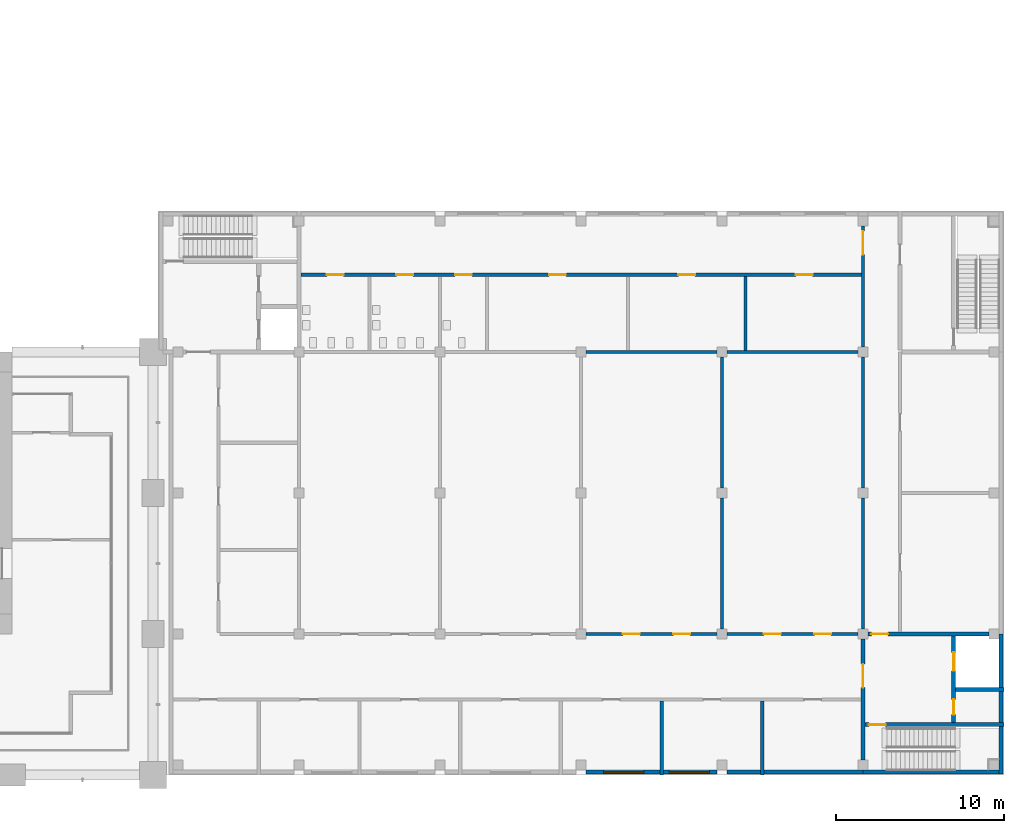
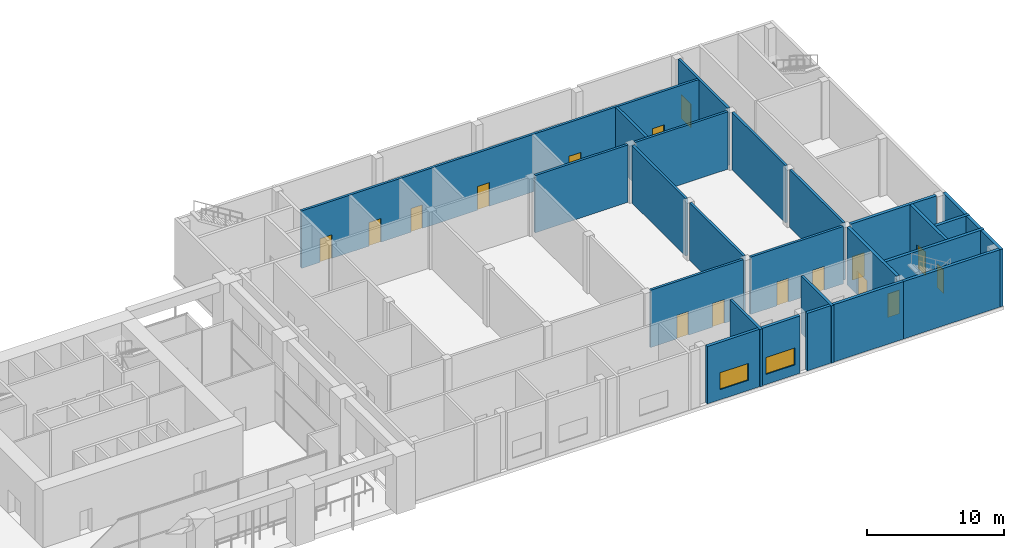
# One storey, part 21 of 33: 22 walls, 16 doors, 2 windows, 18 openings.
"""IFC4 building model written with IfcOpenShell, lengths in metres."""

from ifc_helpers import new_model, si_unit, direction, frame, frame_2d, origin, place, context, subcontext, project, spatial, rectangle, extrude, material, layer, layer_set, type_object, element, fill, save


model = new_model("IFC4")

# Units and contexts
model_context = context("Model", 3, precision=1e-05, world=origin(), true_north=direction((0.0, 1.0)))
body_context = subcontext(model_context, "Body", "Model", "MODEL_VIEW")
ifc_project = project(units=[si_unit("LENGTHUNIT", "METRE"), si_unit("AREAUNIT", "SQUARE_METRE"), si_unit("VOLUMEUNIT", "CUBIC_METRE"), si_unit("PLANEANGLEUNIT", "RADIAN"), si_unit("MASSUNIT", "GRAM", prefix="KILO")], contexts=[model_context])

# Site, building, storey
site_placement = place(None, origin())
site = spatial("IfcSite", under=ifc_project, at=site_placement, CompositionType="ELEMENT")
building_placement = place(site_placement, origin())
building = spatial("IfcBuilding", under=site, at=building_placement, Name="Vermilion Gate Residences", CompositionType="ELEMENT")
storey_placement = place(building_placement, frame((0.0, 0.0, 14.39990234375)))
storey = spatial("IfcBuildingStorey", under=building, at=storey_placement, Name="L02", CompositionType="ELEMENT", Elevation=14.39990234375)

# Wall, openings, windows
ifc_material_1 = material(Name="Insulated masonry", Category="masonry")
ifc_layer_1 = layer(ifc_material_1, 0.25)
ifc_layer_set_1 = layer_set([ifc_layer_1], Name="EXTERNAL WALL 250 MASONRY (MARKET HALL)")
wall_type_1 = type_object("IfcWallType", Name="EXTERNAL WALL 250 MASONRY (MARKET HALL)", PredefinedType="SOLIDWALL", material=ifc_layer_set_1)
wall_1_placement = place(storey_placement, frame((93.0, 0.175048828125, 0.0), z_axis=(0.0, 0.0, 1.0), x_axis=(1.0, 0.0, 0.0)))
wall_1 = element("IfcWall", 1, at=wall_1_placement, inside=storey, type_object=wall_type_1, Name="External wall L02-4", PredefinedType="SOLIDWALL", context=body_context, shape_type="SweptSolid", body=[
    extrude(rectangle(XDim=7.800048828125, YDim=0.25, at=frame_2d((3.89990234375, 0.0))), origin(), (0.0, 0.0, 1.0), 5.10009765625),
])
opening_1_placement = place(wall_1_placement, frame((1.050048828125, 0.0, 0.89990234375)))
opening_1 = element("IfcOpeningElement", 2, at=opening_1_placement, cuts=wall_1, Name="Opening WH02004", PredefinedType="OPENING", context=body_context, shape_type="SweptSolid", body=[
    extrude(rectangle(XDim=2.39990234375, YDim=1.5, at=frame_2d((1.199951171875, 0.75))), frame((0.0, 0.135009765625, 0.0), z_axis=(0.0, -1.0, 0.0), x_axis=(1.0, 0.0, 0.0)), (0.0, 0.0, 1.0), 0.27001953125),
])
opening_2_placement = place(wall_1_placement, frame((4.949951171875, 0.0, 0.89990234375)))
opening_2 = element("IfcOpeningElement", 3, at=opening_2_placement, cuts=wall_1, Name="Opening WH02005", PredefinedType="OPENING", context=body_context, shape_type="SweptSolid", body=[
    extrude(rectangle(XDim=2.39990234375, YDim=1.5, at=frame_2d((1.199951171875, 0.75))), frame((0.0, 0.135009765625, 0.0), z_axis=(0.0, -1.0, 0.0), x_axis=(1.0, 0.0, 0.0)), (0.0, 0.0, 1.0), 0.27001953125),
])
ifc_material_2 = material(Name="Aluminium and glass", Category="aluminium")
window_type = type_object("IfcWindowType", Name="WINDOW 2400 X 1500 (MARKET HALL)", PartitioningType="DOUBLE_PANEL_VERTICAL", PredefinedType="WINDOW", material=ifc_material_2)
window_1_placement = place(opening_1_placement, origin())
window_1 = element("IfcWindow", 4, at=window_1_placement, inside=storey, type_object=window_type, Name="Window WH02004", OverallHeight=1.5, OverallWidth=2.39990234375, PartitioningType="DOUBLE_PANEL_VERTICAL", PredefinedType="WINDOW", context=body_context, shape_type="SweptSolid", body=[
    extrude(rectangle(XDim=2.39990234375, YDim=1.5, at=frame_2d((1.199951171875, 0.75))), frame((0.0, 0.030029296875, 0.0), z_axis=(0.0, -1.0, 0.0), x_axis=(1.0, 0.0, 0.0)), (0.0, 0.0, 1.0), 0.06005859375),
])
fill(opening_1, window_1)
window_2_placement = place(opening_2_placement, origin())
window_2 = element("IfcWindow", 5, at=window_2_placement, inside=storey, type_object=window_type, Name="Window WH02005", OverallHeight=1.5, OverallWidth=2.39990234375, PartitioningType="DOUBLE_PANEL_VERTICAL", PredefinedType="WINDOW", context=body_context, shape_type="SweptSolid", body=[
    extrude(rectangle(XDim=2.39990234375, YDim=1.5, at=frame_2d((1.199951171875, 0.75))), frame((0.0, 0.030029296875, 0.0), z_axis=(0.0, -1.0, 0.0), x_axis=(1.0, 0.0, 0.0)), (0.0, 0.0, 1.0), 0.06005859375),
])
fill(opening_2, window_2)

# Wall
wall_2_placement = place(storey_placement, frame((101.39990234375, 0.175048828125, 0.0), z_axis=(0.0, 0.0, 1.0), x_axis=(1.0, 0.0, 0.0)))
element("IfcWall", 6, at=wall_2_placement, inside=storey, type_object=wall_type_1, Name="External wall L02-5", PredefinedType="SOLIDWALL", context=body_context, shape_type="SweptSolid", body=[
    extrude(rectangle(XDim=8.10009765625, YDim=0.25, at=frame_2d((4.050048828125, 0.0))), origin(), (0.0, 0.0, 1.0), 5.10009765625),
])

# Wall, openings, doors
ifc_material_3 = material(Name="Masonry", Category="masonry")
ifc_layer_2 = layer(ifc_material_3, 0.199951171875)
ifc_layer_set_2 = layer_set([ifc_layer_2], Name="PARTITION 200 MASONRY EI 60 (MARKET HALL)")
wall_type_2 = type_object("IfcWallType", Name="PARTITION 200 MASONRY EI 60 (MARKET HALL)", PredefinedType="PARTITIONING", material=ifc_layer_set_2)
wall_3_placement = place(storey_placement, frame((93.0, 8.39990234375, 0.0), z_axis=(0.0, 0.0, 1.0), x_axis=(1.0, 0.0, 0.0)))
wall_3 = element("IfcWall", 7, at=wall_3_placement, inside=storey, type_object=wall_type_2, Name="Partition wall L02-13", PredefinedType="PARTITIONING", context=body_context, shape_type="SweptSolid", body=[
    extrude(rectangle(XDim=7.800048828125, YDim=0.199951171875, at=frame_2d((3.89990234375, 0.0))), origin(), (0.0, 0.0, 1.0), 5.10009765625),
])
opening_3_placement = place(wall_3_placement, frame((2.199951171875, 0.0, 0.0)))
opening_3 = element("IfcOpeningElement", 8, at=opening_3_placement, cuts=wall_3, Name="Opening DH02013", PredefinedType="OPENING", context=body_context, shape_type="SweptSolid", body=[
    extrude(rectangle(XDim=1.0, YDim=2.10009765625, at=frame_2d((0.5, 1.050048828125))), frame((0.0, 0.10986328125, 0.0), z_axis=(0.0, -1.0, 0.0), x_axis=(1.0, 0.0, 0.0)), (0.0, 0.0, 1.0), 0.219970703125),
])
opening_4_placement = place(wall_3_placement, frame((5.199951171875, 0.0, 0.0)))
opening_4 = element("IfcOpeningElement", 9, at=opening_4_placement, cuts=wall_3, Name="Opening DH02014", PredefinedType="OPENING", context=body_context, shape_type="SweptSolid", body=[
    extrude(rectangle(XDim=1.0, YDim=2.10009765625, at=frame_2d((0.5, 1.050048828125))), frame((0.0, 0.10986328125, 0.0), z_axis=(0.0, -1.0, 0.0), x_axis=(1.0, 0.0, 0.0)), (0.0, 0.0, 1.0), 0.219970703125),
])
ifc_material_4 = material(Name="Steel", Category="steel")
door_type_1 = type_object("IfcDoorType", Name="FIRE DOOR FD30 1000 X 2100 (MARKET HALL)", OperationType="SINGLE_SWING_LEFT", PredefinedType="DOOR", material=ifc_material_4)
door_1_placement = place(opening_3_placement, frame((1.0, 0.0, 0.0), z_axis=(0.0, 0.0, 1.0), x_axis=(-1.0, 0.0, 0.0)))
door_1 = element("IfcDoor", 10, at=door_1_placement, inside=storey, type_object=door_type_1, Name="Fire door DH02013", OperationType="SINGLE_SWING_RIGHT", OverallHeight=2.10009765625, OverallWidth=1.0, PredefinedType="DOOR", context=body_context, shape_type="SweptSolid", body=[
    extrude(rectangle(XDim=1.0, YDim=2.10009765625, at=frame_2d((0.5, 1.050048828125))), frame((0.0, 0.02490234375, 0.0), z_axis=(0.0, -1.0, 0.0), x_axis=(1.0, 0.0, 0.0)), (0.0, 0.0, 1.0), 0.050048828125),
])
fill(opening_3, door_1)
door_2_placement = place(opening_4_placement, frame((1.0, 0.0, 0.0), z_axis=(0.0, 0.0, 1.0), x_axis=(-1.0, 0.0, 0.0)))
door_2 = element("IfcDoor", 11, at=door_2_placement, inside=storey, type_object=door_type_1, Name="Fire door DH02014", OperationType="SINGLE_SWING_LEFT", OverallHeight=2.10009765625, OverallWidth=1.0, PredefinedType="DOOR", context=body_context, shape_type="SweptSolid", body=[
    extrude(rectangle(XDim=1.0, YDim=2.10009765625, at=frame_2d((0.5, 1.050048828125))), frame((0.0, 0.02490234375, 0.0), z_axis=(0.0, -1.0, 0.0), x_axis=(1.0, 0.0, 0.0)), (0.0, 0.0, 1.0), 0.050048828125),
])
fill(opening_4, door_2)

wall_4_placement = place(storey_placement, frame((101.39990234375, 8.39990234375, 0.0), z_axis=(0.0, 0.0, 1.0), x_axis=(1.0, 0.0, 0.0)))
wall_4 = element("IfcWall", 12, at=wall_4_placement, inside=storey, type_object=wall_type_2, Name="Partition wall L02-14", PredefinedType="PARTITIONING", context=body_context, shape_type="SweptSolid", body=[
    extrude(rectangle(XDim=7.800048828125, YDim=0.199951171875, at=frame_2d((3.89990234375, 0.0))), origin(), (0.0, 0.0, 1.0), 5.10009765625),
])
opening_5_placement = place(wall_4_placement, frame((2.199951171875, 0.0, 0.0)))
opening_5 = element("IfcOpeningElement", 13, at=opening_5_placement, cuts=wall_4, Name="Opening DH02015", PredefinedType="OPENING", context=body_context, shape_type="SweptSolid", body=[
    extrude(rectangle(XDim=1.0, YDim=2.10009765625, at=frame_2d((0.5, 1.050048828125))), frame((0.0, 0.10986328125, 0.0), z_axis=(0.0, -1.0, 0.0), x_axis=(1.0, 0.0, 0.0)), (0.0, 0.0, 1.0), 0.219970703125),
])
opening_6_placement = place(wall_4_placement, frame((5.199951171875, 0.0, 0.0)))
opening_6 = element("IfcOpeningElement", 14, at=opening_6_placement, cuts=wall_4, Name="Opening DH02016", PredefinedType="OPENING", context=body_context, shape_type="SweptSolid", body=[
    extrude(rectangle(XDim=1.0, YDim=2.10009765625, at=frame_2d((0.5, 1.050048828125))), frame((0.0, 0.10986328125, 0.0), z_axis=(0.0, -1.0, 0.0), x_axis=(1.0, 0.0, 0.0)), (0.0, 0.0, 1.0), 0.219970703125),
])
door_3_placement = place(opening_5_placement, origin())
door_3 = element("IfcDoor", 15, at=door_3_placement, inside=storey, type_object=door_type_1, Name="Fire door DH02015", OperationType="SINGLE_SWING_LEFT", OverallHeight=2.10009765625, OverallWidth=1.0, PredefinedType="DOOR", context=body_context, shape_type="SweptSolid", body=[
    extrude(rectangle(XDim=1.0, YDim=2.10009765625, at=frame_2d((0.5, 1.050048828125))), frame((0.0, 0.02490234375, 0.0), z_axis=(0.0, -1.0, 0.0), x_axis=(1.0, 0.0, 0.0)), (0.0, 0.0, 1.0), 0.050048828125),
])
fill(opening_5, door_3)
door_4_placement = place(opening_6_placement, origin())
door_4 = element("IfcDoor", 16, at=door_4_placement, inside=storey, type_object=door_type_1, Name="Fire door DH02016", OperationType="SINGLE_SWING_RIGHT", OverallHeight=2.10009765625, OverallWidth=1.0, PredefinedType="DOOR", context=body_context, shape_type="SweptSolid", body=[
    extrude(rectangle(XDim=1.0, YDim=2.10009765625, at=frame_2d((0.5, 1.050048828125))), frame((0.0, 0.02490234375, 0.0), z_axis=(0.0, -1.0, 0.0), x_axis=(1.0, 0.0, 0.0)), (0.0, 0.0, 1.0), 0.050048828125),
])
fill(opening_6, door_4)

# Walls
for number, where, z_axis, x_axis, name in (
    (17, (93.0, 25.199951171875, 0.0), (0.0, 0.0, 1.0), (1.0, 0.0, 0.0), "Partition wall L02-23"),
    (18, (101.39990234375, 25.199951171875, 0.0), (0.0, 0.0, 1.0), (1.0, 0.0, 0.0), "Partition wall L02-24"),
):
    element("IfcWall", number, at=place(storey_placement, frame(where, z_axis=z_axis, x_axis=x_axis)), inside=storey, type_object=wall_type_2, Name=name, PredefinedType="PARTITIONING", context=body_context, shape_type="SweptSolid", body=[
        extrude(rectangle(XDim=7.800048828125, YDim=0.199951171875, at=frame_2d((3.89990234375, 0.0))), origin(), (0.0, 0.0, 1.0), 5.10009765625),
    ])

# Wall, openings, doors
wall_5_placement = place(storey_placement, frame((76.02490234375, 29.800048828125, 0.0), z_axis=(0.0, 0.0, 1.0), x_axis=(1.0, 0.0, 0.0)))
wall_5 = element("IfcWall", 19, at=wall_5_placement, inside=storey, type_object=wall_type_2, Name="Partition wall L02-27", PredefinedType="PARTITIONING", context=body_context, shape_type="SweptSolid", body=[
    extrude(rectangle(XDim=33.375, YDim=0.199951171875, at=frame_2d((16.6875, 0.0))), origin(), (0.0, 0.0, 1.0), 5.10009765625),
])
opening_7_placement = place(wall_5_placement, frame((1.53759765625, 0.0, 0.0)))
opening_7 = element("IfcOpeningElement", 20, at=opening_7_placement, cuts=wall_5, Name="Opening DH02017", PredefinedType="OPENING", context=body_context, shape_type="SweptSolid", body=[
    extrude(rectangle(XDim=1.0, YDim=2.10009765625, at=frame_2d((0.5, 1.050048828125))), frame((0.0, 0.10986328125, 0.0), z_axis=(0.0, -1.0, 0.0), x_axis=(1.0, 0.0, 0.0)), (0.0, 0.0, 1.0), 0.219970703125),
])
opening_8_placement = place(wall_5_placement, frame((5.675048828125, 0.0, 0.0)))
opening_8 = element("IfcOpeningElement", 21, at=opening_8_placement, cuts=wall_5, Name="Opening DH02018", PredefinedType="OPENING", context=body_context, shape_type="SweptSolid", body=[
    extrude(rectangle(XDim=1.0, YDim=2.10009765625, at=frame_2d((0.5, 1.050048828125))), frame((0.0, 0.10986328125, 0.0), z_axis=(0.0, -1.0, 0.0), x_axis=(1.0, 0.0, 0.0)), (0.0, 0.0, 1.0), 0.219970703125),
])
opening_9_placement = place(wall_5_placement, frame((9.175048828125, 0.0, 0.0)))
opening_9 = element("IfcOpeningElement", 22, at=opening_9_placement, cuts=wall_5, Name="Opening DH02019", PredefinedType="OPENING", context=body_context, shape_type="SweptSolid", body=[
    extrude(rectangle(XDim=1.0, YDim=2.10009765625, at=frame_2d((0.5, 1.050048828125))), frame((0.0, 0.10986328125, 0.0), z_axis=(0.0, -1.0, 0.0), x_axis=(1.0, 0.0, 0.0)), (0.0, 0.0, 1.0), 0.219970703125),
])
opening_10_placement = place(wall_5_placement, frame((14.77490234375, 0.0, 0.0)))
opening_10 = element("IfcOpeningElement", 23, at=opening_10_placement, cuts=wall_5, Name="Opening DH02020", PredefinedType="OPENING", context=body_context, shape_type="SweptSolid", body=[
    extrude(rectangle(XDim=1.0, YDim=2.10009765625, at=frame_2d((0.5, 1.050048828125))), frame((0.0, 0.10986328125, 0.0), z_axis=(0.0, -1.0, 0.0), x_axis=(1.0, 0.0, 0.0)), (0.0, 0.0, 1.0), 0.219970703125),
])
opening_11_placement = place(wall_5_placement, frame((22.47509765625, 0.0, 0.0)))
opening_11 = element("IfcOpeningElement", 24, at=opening_11_placement, cuts=wall_5, Name="Opening DH02021", PredefinedType="OPENING", context=body_context, shape_type="SweptSolid", body=[
    extrude(rectangle(XDim=1.0, YDim=2.10009765625, at=frame_2d((0.5, 1.050048828125))), frame((0.0, 0.10986328125, 0.0), z_axis=(0.0, -1.0, 0.0), x_axis=(1.0, 0.0, 0.0)), (0.0, 0.0, 1.0), 0.219970703125),
])
opening_12_placement = place(wall_5_placement, frame((29.47509765625, 0.0, 0.0)))
opening_12 = element("IfcOpeningElement", 25, at=opening_12_placement, cuts=wall_5, Name="Opening DH02022", PredefinedType="OPENING", context=body_context, shape_type="SweptSolid", body=[
    extrude(rectangle(XDim=1.0, YDim=2.10009765625, at=frame_2d((0.5, 1.050048828125))), frame((0.0, 0.10986328125, 0.0), z_axis=(0.0, -1.0, 0.0), x_axis=(1.0, 0.0, 0.0)), (0.0, 0.0, 1.0), 0.219970703125),
])
door_5_placement = place(opening_10_placement, frame((1.0, 0.0, 0.0), z_axis=(0.0, 0.0, 1.0), x_axis=(-1.0, 0.0, 0.0)))
door_5 = element("IfcDoor", 26, at=door_5_placement, inside=storey, type_object=door_type_1, Name="Fire door DH02020", OperationType="SINGLE_SWING_RIGHT", OverallHeight=2.10009765625, OverallWidth=1.0, PredefinedType="DOOR", context=body_context, shape_type="SweptSolid", body=[
    extrude(rectangle(XDim=1.0, YDim=2.10009765625, at=frame_2d((0.5, 1.050048828125))), frame((0.0, 0.02490234375, 0.0), z_axis=(0.0, -1.0, 0.0), x_axis=(1.0, 0.0, 0.0)), (0.0, 0.0, 1.0), 0.050048828125),
])
fill(opening_10, door_5)
door_6_placement = place(opening_11_placement, frame((1.0, 0.0, 0.0), z_axis=(0.0, 0.0, 1.0), x_axis=(-1.0, 0.0, 0.0)))
door_6 = element("IfcDoor", 27, at=door_6_placement, inside=storey, type_object=door_type_1, Name="Fire door DH02021", OperationType="SINGLE_SWING_RIGHT", OverallHeight=2.10009765625, OverallWidth=1.0, PredefinedType="DOOR", context=body_context, shape_type="SweptSolid", body=[
    extrude(rectangle(XDim=1.0, YDim=2.10009765625, at=frame_2d((0.5, 1.050048828125))), frame((0.0, 0.02490234375, 0.0), z_axis=(0.0, -1.0, 0.0), x_axis=(1.0, 0.0, 0.0)), (0.0, 0.0, 1.0), 0.050048828125),
])
fill(opening_11, door_6)
door_7_placement = place(opening_12_placement, frame((1.0, 0.0, 0.0), z_axis=(0.0, 0.0, 1.0), x_axis=(-1.0, 0.0, 0.0)))
door_7 = element("IfcDoor", 28, at=door_7_placement, inside=storey, type_object=door_type_1, Name="Fire door DH02022", OperationType="SINGLE_SWING_RIGHT", OverallHeight=2.10009765625, OverallWidth=1.0, PredefinedType="DOOR", context=body_context, shape_type="SweptSolid", body=[
    extrude(rectangle(XDim=1.0, YDim=2.10009765625, at=frame_2d((0.5, 1.050048828125))), frame((0.0, 0.02490234375, 0.0), z_axis=(0.0, -1.0, 0.0), x_axis=(1.0, 0.0, 0.0)), (0.0, 0.0, 1.0), 0.050048828125),
])
fill(opening_12, door_7)
ifc_material_5 = material(Name="Timber", Category="wood")
door_type_2 = type_object("IfcDoorType", Name="TIMBER DOOR 1000 X 2100 (MARKET HALL)", OperationType="SINGLE_SWING_LEFT", PredefinedType="DOOR", material=ifc_material_5)
door_8_placement = place(opening_7_placement, frame((1.0, 0.0, 0.0), z_axis=(0.0, 0.0, 1.0), x_axis=(-1.0, 0.0, 0.0)))
door_8 = element("IfcDoor", 29, at=door_8_placement, inside=storey, type_object=door_type_2, Name="WC door DH02017", OperationType="SINGLE_SWING_LEFT", OverallHeight=2.10009765625, OverallWidth=1.0, PredefinedType="DOOR", context=body_context, shape_type="SweptSolid", body=[
    extrude(rectangle(XDim=1.0, YDim=2.10009765625, at=frame_2d((0.5, 1.050048828125))), frame((0.0, 0.02490234375, 0.0), z_axis=(0.0, -1.0, 0.0), x_axis=(1.0, 0.0, 0.0)), (0.0, 0.0, 1.0), 0.050048828125),
])
fill(opening_7, door_8)
door_9_placement = place(opening_8_placement, frame((1.0, 0.0, 0.0), z_axis=(0.0, 0.0, 1.0), x_axis=(-1.0, 0.0, 0.0)))
door_9 = element("IfcDoor", 30, at=door_9_placement, inside=storey, type_object=door_type_2, Name="WC door DH02018", OperationType="SINGLE_SWING_LEFT", OverallHeight=2.10009765625, OverallWidth=1.0, PredefinedType="DOOR", context=body_context, shape_type="SweptSolid", body=[
    extrude(rectangle(XDim=1.0, YDim=2.10009765625, at=frame_2d((0.5, 1.050048828125))), frame((0.0, 0.02490234375, 0.0), z_axis=(0.0, -1.0, 0.0), x_axis=(1.0, 0.0, 0.0)), (0.0, 0.0, 1.0), 0.050048828125),
])
fill(opening_8, door_9)
door_10_placement = place(opening_9_placement, frame((1.0, 0.0, 0.0), z_axis=(0.0, 0.0, 1.0), x_axis=(-1.0, 0.0, 0.0)))
door_10 = element("IfcDoor", 31, at=door_10_placement, inside=storey, type_object=door_type_2, Name="WC door DH02019", OperationType="SINGLE_SWING_LEFT", OverallHeight=2.10009765625, OverallWidth=1.0, PredefinedType="DOOR", context=body_context, shape_type="SweptSolid", body=[
    extrude(rectangle(XDim=1.0, YDim=2.10009765625, at=frame_2d((0.5, 1.050048828125))), frame((0.0, 0.02490234375, 0.0), z_axis=(0.0, -1.0, 0.0), x_axis=(1.0, 0.0, 0.0)), (0.0, 0.0, 1.0), 0.050048828125),
])
fill(opening_9, door_10)

# Walls
wall_6_placement = place(storey_placement, frame((97.5, 0.0, 0.0), z_axis=(0.0, 0.0, 1.0), x_axis=(0.0, 1.0, 0.0)))
element("IfcWall", 32, at=wall_6_placement, inside=storey, type_object=wall_type_2, Name="Partition wall L02-56", PredefinedType="PARTITIONING", context=body_context, shape_type="SweptSolid", body=[
    extrude(rectangle(XDim=4.39990234375, YDim=0.199951171875, at=frame_2d((2.199951171875, 0.0))), origin(), (0.0, 0.0, 1.0), 5.10009765625),
])
wall_7_placement = place(storey_placement, frame((101.10009765625, 8.699951171875, 0.0), z_axis=(0.0, 0.0, 1.0), x_axis=(0.0, 1.0, 0.0)))
element("IfcWall", 33, at=wall_7_placement, inside=storey, type_object=wall_type_2, Name="Partition wall L02-57", PredefinedType="PARTITIONING", context=body_context, shape_type="SweptSolid", body=[
    extrude(rectangle(XDim=7.800048828125, YDim=0.199951171875, at=frame_2d((3.89990234375, 0.0))), origin(), (0.0, 0.0, 1.0), 5.10009765625),
])
wall_8_placement = place(storey_placement, frame((101.10009765625, 17.10009765625, 0.0), z_axis=(0.0, 0.0, 1.0), x_axis=(0.0, 1.0, 0.0)))
element("IfcWall", 34, at=wall_8_placement, inside=storey, type_object=wall_type_2, Name="Partition wall L02-58", PredefinedType="PARTITIONING", context=body_context, shape_type="SweptSolid", body=[
    extrude(rectangle(XDim=7.7998046875, YDim=0.199951171875, at=frame_2d((3.89990234375, 0.0))), origin(), (0.0, 0.0, 1.0), 5.10009765625),
])
for number, where, z_axis, x_axis, name in (
    (35, (102.5, 25.300048828125, 0.0), (0.0, 0.0, 1.0), (0.0, 1.0, 0.0), "Partition wall L02-59"),
    (36, (103.5, 0.0, 0.0), (0.0, 0.0, 1.0), (0.0, 1.0, 0.0), "Partition wall L02-60"),
):
    element("IfcWall", number, at=place(storey_placement, frame(where, z_axis=z_axis, x_axis=x_axis)), inside=storey, type_object=wall_type_2, Name=name, PredefinedType="PARTITIONING", context=body_context, shape_type="SweptSolid", body=[
        extrude(rectangle(XDim=4.39990234375, YDim=0.199951171875, at=frame_2d((2.199951171875, 0.0))), origin(), (0.0, 0.0, 1.0), 5.10009765625),
    ])
wall_9_placement = place(storey_placement, frame((109.5, 8.699951171875, 0.0), z_axis=(0.0, 0.0, 1.0), x_axis=(0.0, 1.0, 0.0)))
element("IfcWall", 37, at=wall_9_placement, inside=storey, type_object=wall_type_2, Name="Partition wall L02-62", PredefinedType="PARTITIONING", context=body_context, shape_type="SweptSolid", body=[
    extrude(rectangle(XDim=7.800048828125, YDim=0.199951171875, at=frame_2d((3.89990234375, 0.0))), origin(), (0.0, 0.0, 1.0), 5.10009765625),
])
wall_10_placement = place(storey_placement, frame((109.5, 17.10009765625, 0.0), z_axis=(0.0, 0.0, 1.0), x_axis=(0.0, 1.0, 0.0)))
element("IfcWall", 38, at=wall_10_placement, inside=storey, type_object=wall_type_2, Name="Partition wall L02-63", PredefinedType="PARTITIONING", context=body_context, shape_type="SweptSolid", body=[
    extrude(rectangle(XDim=7.7998046875, YDim=0.199951171875, at=frame_2d((3.89990234375, 0.0))), origin(), (0.0, 0.0, 1.0), 5.10009765625),
])

# Wall, opening, door
wall_11_placement = place(storey_placement, frame((109.5, 25.5, 0.0), z_axis=(0.0, 0.0, 1.0), x_axis=(0.0, 1.0, 0.0)))
wall_11 = element("IfcWall", 39, at=wall_11_placement, inside=storey, type_object=wall_type_2, Name="Partition wall L02-64", PredefinedType="PARTITIONING", context=body_context, shape_type="SweptSolid", body=[
    extrude(rectangle(XDim=7.199951171875, YDim=0.199951171875, at=frame_2d((3.60009765625, 0.0))), origin(), (0.0, 0.0, 1.0), 5.10009765625),
])
opening_13_placement = place(wall_11_placement, frame((5.5, 0.0, 0.0)))
opening_13 = element("IfcOpeningElement", 40, at=opening_13_placement, cuts=wall_11, Name="Opening DH02023", PredefinedType="OPENING", context=body_context, shape_type="SweptSolid", body=[
    extrude(rectangle(XDim=1.39990234375, YDim=2.10009765625, at=frame_2d((0.699951171875, 1.050048828125))), frame((0.0, 0.10986328125, 0.0), z_axis=(0.0, -1.0, 0.0), x_axis=(1.0, 0.0, 0.0)), (0.0, 0.0, 1.0), 0.219970703125),
])
ifc_material_6 = material(Name="Steel", Category="steel")
door_type_3 = type_object("IfcDoorType", Name="FIRE DOOR FD30 1400 X 2100 DOUBLE (MARKET HALL)", OperationType="DOUBLE_DOOR_SINGLE_SWING", PredefinedType="DOOR", material=ifc_material_6)
door_11_placement = place(opening_13_placement, origin())
door_11 = element("IfcDoor", 41, at=door_11_placement, inside=storey, type_object=door_type_3, Name="Fire door DH02023", OperationType="DOUBLE_DOOR_SINGLE_SWING", OverallHeight=2.10009765625, OverallWidth=1.39990234375, PredefinedType="DOOR", context=body_context, shape_type="SweptSolid", body=[
    extrude(rectangle(XDim=1.39990234375, YDim=2.10009765625, at=frame_2d((0.699951171875, 1.050048828125))), frame((0.0, 0.02490234375, 0.0), z_axis=(0.0, -1.0, 0.0), x_axis=(1.0, 0.0, 0.0)), (0.0, 0.0, 1.0), 0.050048828125),
])
fill(opening_13, door_11)

# Wall
ifc_material_7 = material(Name="Concrete C45", Category="concrete")
ifc_layer_3 = layer(ifc_material_7, 0.25)
ifc_layer_set_3 = layer_set([ifc_layer_3], Name="RC CORE WALL 250 C45 (MARKET HALL)")
wall_type_3 = type_object("IfcWallType", Name="RC CORE WALL 250 C45 (MARKET HALL)", PredefinedType="SHEAR", material=ifc_layer_set_3)
wall_12_placement = place(storey_placement, frame((109.5, 0.175048828125, 0.0), z_axis=(0.0, 0.0, 1.0), x_axis=(1.0, 0.0, 0.0)))
element("IfcWall", 42, at=wall_12_placement, inside=storey, type_object=wall_type_3, Name="Core wall L02-6", PredefinedType="SHEAR", context=body_context, shape_type="SweptSolid", body=[
    extrude(rectangle(XDim=8.10009765625, YDim=0.25, at=frame_2d((4.050048828125, 0.0))), origin(), (0.0, 0.0, 1.0), 5.10009765625),
])

# Wall, opening, door
wall_13_placement = place(storey_placement, frame((109.625, 3.0, 0.0), z_axis=(0.0, 0.0, 1.0), x_axis=(1.0, 0.0, 0.0)))
wall_13 = element("IfcWall", 43, at=wall_13_placement, inside=storey, type_object=wall_type_3, Name="Core wall L02-7", PredefinedType="SHEAR", context=body_context, shape_type="SweptSolid", body=[
    extrude(rectangle(XDim=8.27490234375, YDim=0.25, at=frame_2d((4.137451171875, 0.0))), origin(), (0.0, 0.0, 1.0), 5.10009765625),
])
opening_14_placement = place(wall_13_placement, frame((0.22509765625, 0.0, 0.0)))
opening_14 = element("IfcOpeningElement", 44, at=opening_14_placement, cuts=wall_13, Name="Opening DH02036", PredefinedType="OPENING", context=body_context, shape_type="SweptSolid", body=[
    extrude(rectangle(XDim=1.0, YDim=2.10009765625, at=frame_2d((0.5, 1.050048828125))), frame((0.0, 0.135009765625, 0.0), z_axis=(0.0, -1.0, 0.0), x_axis=(1.0, 0.0, 0.0)), (0.0, 0.0, 1.0), 0.27001953125),
])
ifc_material_8 = material(Name="Steel", Category="steel")
door_type_4 = type_object("IfcDoorType", Name="STAIR DOOR FD60 1000 X 2100 (MARKET HALL)", OperationType="SINGLE_SWING_LEFT", PredefinedType="DOOR", material=ifc_material_8)
door_12_placement = place(opening_14_placement, frame((1.0, 0.0, 0.0), z_axis=(0.0, 0.0, 1.0), x_axis=(-1.0, 0.0, 0.0)))
door_12 = element("IfcDoor", 45, at=door_12_placement, inside=storey, type_object=door_type_4, Name="Stair door DH02036", OperationType="SINGLE_SWING_LEFT", OverallHeight=2.10009765625, OverallWidth=1.0, PredefinedType="DOOR", context=body_context, shape_type="SweptSolid", body=[
    extrude(rectangle(XDim=1.0, YDim=2.10009765625, at=frame_2d((0.5, 1.050048828125))), frame((0.0, 0.02490234375, 0.0), z_axis=(0.0, -1.0, 0.0), x_axis=(1.0, 0.0, 0.0)), (0.0, 0.0, 1.0), 0.050048828125),
])
fill(opening_14, door_12)

# Wall
wall_14_placement = place(storey_placement, frame((115.02490234375, 5.10009765625, 0.0), z_axis=(0.0, 0.0, 1.0), x_axis=(1.0, 0.0, 0.0)))
element("IfcWall", 46, at=wall_14_placement, inside=storey, type_object=wall_type_3, Name="Core wall L02-9", PredefinedType="SHEAR", context=body_context, shape_type="SweptSolid", body=[
    extrude(rectangle(XDim=2.875, YDim=0.25, at=frame_2d((1.4375, 0.0))), origin(), (0.0, 0.0, 1.0), 5.10009765625),
])

# Wall, opening, door
wall_15_placement = place(storey_placement, frame((109.800048828125, 8.39990234375, 0.0), z_axis=(0.0, 0.0, 1.0), x_axis=(1.0, 0.0, 0.0)))
wall_15 = element("IfcWall", 47, at=wall_15_placement, inside=storey, type_object=wall_type_3, Name="Core wall L02-15", PredefinedType="SHEAR", context=body_context, shape_type="SweptSolid", body=[
    extrude(rectangle(XDim=7.199951171875, YDim=0.25, at=frame_2d((3.60009765625, 0.0))), origin(), (0.0, 0.0, 1.0), 5.10009765625),
])
opening_15_placement = place(wall_15_placement, frame((0.199951171875, 0.0, 0.0)))
opening_15 = element("IfcOpeningElement", 48, at=opening_15_placement, cuts=wall_15, Name="Opening DH02032", PredefinedType="OPENING", context=body_context, shape_type="SweptSolid", body=[
    extrude(rectangle(XDim=1.0, YDim=2.10009765625, at=frame_2d((0.5, 1.050048828125))), frame((0.0, 0.135009765625, 0.0), z_axis=(0.0, -1.0, 0.0), x_axis=(1.0, 0.0, 0.0)), (0.0, 0.0, 1.0), 0.27001953125),
])
ifc_material_9 = material(Name="Steel", Category="steel")
door_type_5 = type_object("IfcDoorType", Name="FIRE DOOR FD60 1000 X 2100 (MARKET HALL)", OperationType="SINGLE_SWING_LEFT", PredefinedType="DOOR", material=ifc_material_9)
door_13_placement = place(opening_15_placement, frame((1.0, 0.0, 0.0), z_axis=(0.0, 0.0, 1.0), x_axis=(-1.0, 0.0, 0.0)))
door_13 = element("IfcDoor", 49, at=door_13_placement, inside=storey, type_object=door_type_5, Name="Lobby fire door DH02032", OperationType="SINGLE_SWING_RIGHT", OverallHeight=2.10009765625, OverallWidth=1.0, PredefinedType="DOOR", context=body_context, shape_type="SweptSolid", body=[
    extrude(rectangle(XDim=1.0, YDim=2.10009765625, at=frame_2d((0.5, 1.050048828125))), frame((0.0, 0.02490234375, 0.0), z_axis=(0.0, -1.0, 0.0), x_axis=(1.0, 0.0, 0.0)), (0.0, 0.0, 1.0), 0.050048828125),
])
fill(opening_15, door_13)

wall_16_placement = place(storey_placement, frame((109.5, 0.89990234375, 0.0), z_axis=(0.0, 0.0, 1.0), x_axis=(0.0, 1.0, 0.0)))
wall_16 = element("IfcWall", 50, at=wall_16_placement, inside=storey, type_object=wall_type_3, Name="Core wall L02-61", PredefinedType="SHEAR", context=body_context, shape_type="SweptSolid", body=[
    extrude(rectangle(XDim=7.2001953125, YDim=0.25, at=frame_2d((3.60009765625, 0.0))), origin(), (0.0, 0.0, 1.0), 5.10009765625),
])
opening_16_placement = place(wall_16_placement, frame((4.300048828125, 0.0, 0.0)))
opening_16 = element("IfcOpeningElement", 51, at=opening_16_placement, cuts=wall_16, Name="Opening DH02031", PredefinedType="OPENING", context=body_context, shape_type="SweptSolid", body=[
    extrude(rectangle(XDim=1.39990234375, YDim=2.10009765625, at=frame_2d((0.699951171875, 1.050048828125))), frame((0.0, 0.135009765625, 0.0), z_axis=(0.0, -1.0, 0.0), x_axis=(1.0, 0.0, 0.0)), (0.0, 0.0, 1.0), 0.27001953125),
])
ifc_material_10 = material(Name="Steel", Category="steel")
door_type_6 = type_object("IfcDoorType", Name="FIRE DOOR FD60 1400 X 2100 DOUBLE (MARKET HALL)", OperationType="DOUBLE_DOOR_SINGLE_SWING", PredefinedType="DOOR", material=ifc_material_10)
door_14_placement = place(opening_16_placement, frame((1.39990234375, 0.0, 0.0), z_axis=(0.0, 0.0, 1.0), x_axis=(-1.0, 0.0, 0.0)))
door_14 = element("IfcDoor", 52, at=door_14_placement, inside=storey, type_object=door_type_6, Name="Lobby fire door DH02031", OperationType="DOUBLE_DOOR_SINGLE_SWING", OverallHeight=2.10009765625, OverallWidth=1.39990234375, PredefinedType="DOOR", context=body_context, shape_type="SweptSolid", body=[
    extrude(rectangle(XDim=1.39990234375, YDim=2.10009765625, at=frame_2d((0.699951171875, 1.050048828125))), frame((0.0, 0.02490234375, 0.0), z_axis=(0.0, -1.0, 0.0), x_axis=(1.0, 0.0, 0.0)), (0.0, 0.0, 1.0), 0.050048828125),
])
fill(opening_16, door_14)

# Wall, openings, doors
wall_17_placement = place(storey_placement, frame((114.89990234375, 3.125, 0.0), z_axis=(0.0, 0.0, 1.0), x_axis=(0.0, 1.0, 0.0)))
wall_17 = element("IfcWall", 53, at=wall_17_placement, inside=storey, type_object=wall_type_3, Name="Core wall L02-68", PredefinedType="SHEAR", context=body_context, shape_type="SweptSolid", body=[
    extrude(rectangle(XDim=5.14990234375, YDim=0.25, at=frame_2d((2.574951171875, 0.0))), origin(), (0.0, 0.0, 1.0), 5.10009765625),
])
opening_17_placement = place(wall_17_placement, frame((3.074951171875, 0.0, 0.0)))
opening_17 = element("IfcOpeningElement", 54, at=opening_17_placement, cuts=wall_17, Name="Opening LD", PredefinedType="OPENING", context=body_context, shape_type="SweptSolid", body=[
    extrude(rectangle(XDim=1.10009765625, YDim=2.10009765625, at=frame_2d((0.550048828125, 1.050048828125))), frame((0.0, 0.135009765625, 0.0), z_axis=(0.0, -1.0, 0.0), x_axis=(1.0, 0.0, 0.0)), (0.0, 0.0, 1.0), 0.27001953125),
])
opening_18_placement = place(wall_17_placement, frame((0.47509765625, 0.0, 0.0)))
opening_18 = element("IfcOpeningElement", 55, at=opening_18_placement, cuts=wall_17, Name="Opening DH02038", PredefinedType="OPENING", context=body_context, shape_type="SweptSolid", body=[
    extrude(rectangle(XDim=0.89990234375, YDim=2.10009765625, at=frame_2d((0.449951171875, 1.050048828125))), frame((0.0, 0.135009765625, 0.0), z_axis=(0.0, -1.0, 0.0), x_axis=(1.0, 0.0, 0.0)), (0.0, 0.0, 1.0), 0.27001953125),
])
ifc_material_11 = material(Name="Steel", Category="steel")
door_type_7 = type_object("IfcDoorType", Name="FIRE DOOR FD60 900 X 2100 (MARKET HALL)", OperationType="SINGLE_SWING_LEFT", PredefinedType="DOOR", material=ifc_material_11)
door_15_placement = place(opening_18_placement, frame((0.89990234375, 0.0, 0.0), z_axis=(0.0, 0.0, 1.0), x_axis=(-1.0, 0.0, 0.0)))
door_15 = element("IfcDoor", 56, at=door_15_placement, inside=storey, type_object=door_type_7, Name="Lobby fire door DH02038", OperationType="SINGLE_SWING_LEFT", OverallHeight=2.10009765625, OverallWidth=0.89990234375, PredefinedType="DOOR", context=body_context, shape_type="SweptSolid", body=[
    extrude(rectangle(XDim=0.89990234375, YDim=2.10009765625, at=frame_2d((0.449951171875, 1.050048828125))), frame((0.0, 0.02490234375, 0.0), z_axis=(0.0, -1.0, 0.0), x_axis=(1.0, 0.0, 0.0)), (0.0, 0.0, 1.0), 0.050048828125),
])
fill(opening_18, door_15)
ifc_material_12 = material(Name="Stainless steel", Category="steel")
door_type_8 = type_object("IfcDoorType", Name="LIFT LANDING DOOR 1100 X 2100 (MARKET HALL)", OperationType="SLIDING_TO_LEFT", PredefinedType="DOOR", material=ifc_material_12)
door_16_placement = place(opening_17_placement, origin())
door_16 = element("IfcDoor", 57, at=door_16_placement, inside=storey, type_object=door_type_8, Name="Lift landing door L02-37", OperationType="SLIDING_TO_LEFT", OverallHeight=2.10009765625, OverallWidth=1.10009765625, PredefinedType="DOOR", context=body_context, shape_type="SweptSolid", body=[
    extrude(rectangle(XDim=1.10009765625, YDim=2.10009765625, at=frame_2d((0.550048828125, 1.050048828125))), frame((0.0, 0.02490234375, 0.0), z_axis=(0.0, -1.0, 0.0), x_axis=(1.0, 0.0, 0.0)), (0.0, 0.0, 1.0), 0.050048828125),
])
fill(opening_17, door_16)

# Wall
wall_18_placement = place(storey_placement, frame((117.72509765625, 0.050048828125, 0.0), z_axis=(0.0, 0.0, 1.0), x_axis=(0.0, 1.0, 0.0)))
element("IfcWall", 58, at=wall_18_placement, inside=storey, type_object=wall_type_3, Name="Core wall L02-70", PredefinedType="SHEAR", context=body_context, shape_type="SweptSolid", body=[
    extrude(rectangle(XDim=8.349853515625, YDim=0.25, at=frame_2d((4.1748046875, 0.0))), origin(), (0.0, 0.0, 1.0), 5.10009765625),
])

save(model, "model.ifc")
